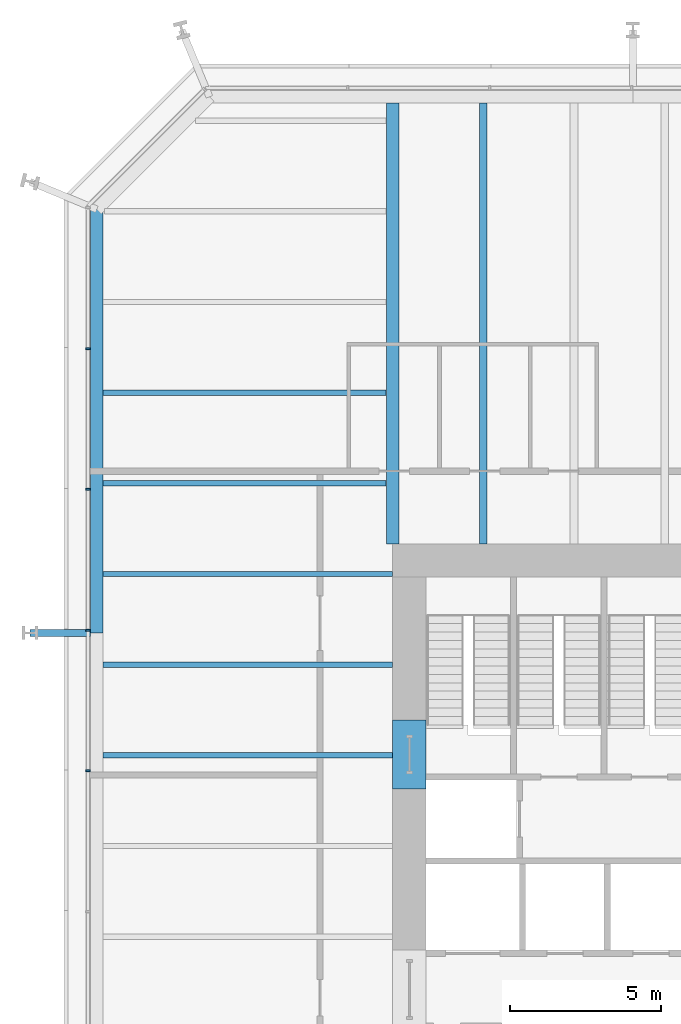
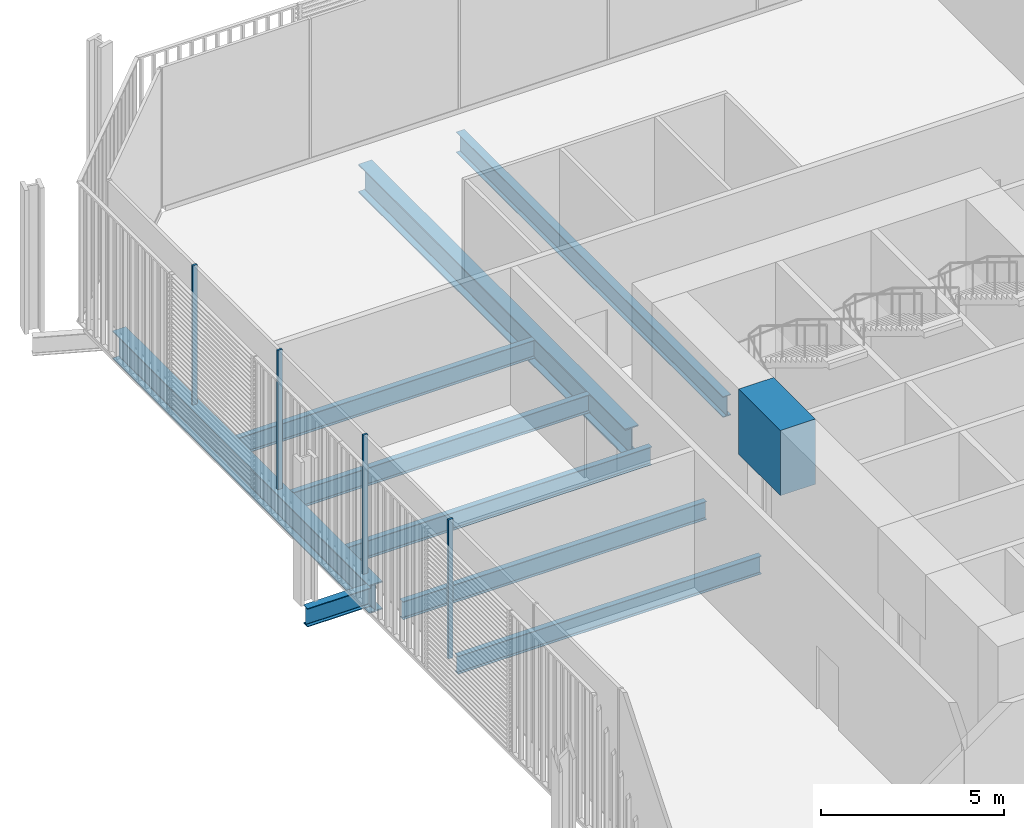
# One storey, part 9 of 25: 10 beams, 4 members, 1 element without a shape of its own.
"""IFC4 building model written with IfcOpenShell, lengths in metres."""

from ifc_helpers import new_model, si_unit, direction, frame, origin, origin_2d, place, context, subcontext, project, spatial, rectangle, i_section, extrude, material, layer, layer_set, material_profile, profile_set, type_object, element, aggregate, save


model = new_model("IFC4")

# Units and contexts
model_context = context("Model", 3, precision=1e-05, world=origin(), true_north=direction((0.0, 1.0)))
body_context = subcontext(model_context, "Body", "Model", "MODEL_VIEW")
ifc_project = project(units=[si_unit("LENGTHUNIT", "METRE"), si_unit("AREAUNIT", "SQUARE_METRE"), si_unit("VOLUMEUNIT", "CUBIC_METRE"), si_unit("PLANEANGLEUNIT", "RADIAN"), si_unit("MASSUNIT", "GRAM", prefix="KILO")], contexts=[model_context])

# Site, building, storey
site_placement = place(None, origin())
site = spatial("IfcSite", under=ifc_project, at=site_placement, CompositionType="ELEMENT")
building_placement = place(site_placement, origin())
building = spatial("IfcBuilding", under=site, at=building_placement, Name="Millrace Tower", CompositionType="ELEMENT")
storey_placement = place(building_placement, frame((0.0, 0.0, 6.5)))
storey = spatial("IfcBuildingStorey", under=building, at=storey_placement, Name="L02", CompositionType="ELEMENT", Elevation=6.5)

# Curtain wall, members
ifc_material_1 = material(Name="Aluminium and glass", Category="aluminium")
ifc_layer = layer(ifc_material_1, 0.14990234375)
ifc_layer_set = layer_set([ifc_layer], Name="Aluminium and glass")
curtain_wall_type = type_object("IfcCurtainWallType", Name="CW-2 data hall insulated curtain wall", PredefinedType="NOTDEFINED", material=ifc_layer_set)
curtain_wall_placement = place(storey_placement, origin())
curtain_wall = element("IfcCurtainWall", 1, at=curtain_wall_placement, inside=storey, type_object=curtain_wall_type, Name="Curtain wall AW2-F06 L02", PredefinedType="NOTDEFINED")
ifc_material_2 = material(Name="Aluminium", Category="aluminium")
ifc_material_profile_1 = material_profile(ifc_material_2, rectangle(XDim=0.06494140625, YDim=0.14990234375, at=origin_2d()))
ifc_profile_set_1 = profile_set([ifc_material_profile_1], Name="Aluminium")
member_type = type_object("IfcMemberType", Name="CW-2 data hall insulated curtain wall mullion", PredefinedType="MULLION", material=ifc_profile_set_1)
member_1_placement = place(storey_placement, frame((-25.074951171875, 16.459716796875, 0.159912109375), z_axis=(0.0, 0.0, 1.0), x_axis=(0.0, -1.0, 0.0)))
member_1 = element("IfcMember", 2, at=member_1_placement, type_object=member_type, Name="CW2 mullion AW2-F06.2", PredefinedType="MULLION", context=body_context, shape_type="SweptSolid", body=[
    extrude(rectangle(XDim=0.06494140625, YDim=0.14990234375, at=origin_2d()), origin(), (0.0, 0.0, 1.0), 4.64013671875),
])
member_2_placement = place(storey_placement, frame((-25.074951171875, 11.802001953125, 0.159912109375), z_axis=(0.0, 0.0, 1.0), x_axis=(0.0, -1.0, 0.0)))
member_2 = element("IfcMember", 3, at=member_2_placement, type_object=member_type, Name="CW2 mullion AW2-F06.3", PredefinedType="MULLION", context=body_context, shape_type="SweptSolid", body=[
    extrude(rectangle(XDim=0.06494140625, YDim=0.14990234375, at=origin_2d()), origin(), (0.0, 0.0, 1.0), 4.64013671875),
])
member_3_placement = place(storey_placement, frame((-25.074951171875, 7.14453125, 0.159912109375), z_axis=(0.0, 0.0, 1.0), x_axis=(0.0, -1.0, 0.0)))
member_3 = element("IfcMember", 4, at=member_3_placement, type_object=member_type, Name="CW2 mullion AW2-F06.4", PredefinedType="MULLION", context=body_context, shape_type="SweptSolid", body=[
    extrude(rectangle(XDim=0.06494140625, YDim=0.14990234375, at=origin_2d()), origin(), (0.0, 0.0, 1.0), 4.64013671875),
])
member_4_placement = place(storey_placement, frame((-25.074951171875, 2.48681640625, 0.159912109375), z_axis=(0.0, 0.0, 1.0), x_axis=(0.0, -1.0, 0.0)))
member_4 = element("IfcMember", 5, at=member_4_placement, type_object=member_type, Name="CW2 mullion AW2-F06.5", PredefinedType="MULLION", context=body_context, shape_type="SweptSolid", body=[
    extrude(rectangle(XDim=0.06494140625, YDim=0.14990234375, at=origin_2d()), origin(), (0.0, 0.0, 1.0), 4.64013671875),
])
aggregate(curtain_wall, [member_1, member_2, member_3, member_4])

# Beams
ifc_material_3 = material(Name="Concrete C80", Category="concrete")
ifc_material_profile_2 = material_profile(ifc_material_3, rectangle(XDim=1.10009765625, YDim=2.175048828125, at=origin_2d()))
ifc_profile_set_2 = profile_set([ifc_material_profile_2], Name="Concrete C80")
beam_type_1 = type_object("IfcBeamType", Name="Coupling beam 1100 x 2175 Concrete C80, 1300 opening", PredefinedType="BEAM", material=ifc_profile_set_2)
beam_1_placement = place(storey_placement, frame((-14.449951171875, 1.88818359375, 3.487548828125), z_axis=(0.0, 1.0, 0.0), x_axis=(-1.0, 0.0, 0.0)))
element("IfcBeam", 6, at=beam_1_placement, inside=storey, type_object=beam_type_1, Name="Coupling beam W L02", PredefinedType="BEAM", context=body_context, shape_type="SweptSolid", body=[
    extrude(rectangle(XDim=1.10009765625, YDim=2.175048828125, at=origin_2d()), origin(), (0.0, 0.0, 1.0), 2.28369140625),
])
ifc_material_4 = material(Name="Steel ASTM A992 Grade 50", Category="steel")
ifc_material_profile_3 = material_profile(ifc_material_4, i_section(OverallWidth=0.1787109375, OverallDepth=0.60205078125, WebThickness=0.010986328125, FlangeThickness=0.014892578125, FilletRadius=0.0126953125, at=origin_2d()))
ifc_profile_set_3 = profile_set([ifc_material_profile_3], Name="Steel ASTM A992 Grade 50")
beam_type_2 = type_object("IfcBeamType", Name="Floor beam W24x62", PredefinedType="JOIST", material=ifc_profile_set_3)
for number, where, z_axis, x_axis, name in (
    (7, (-24.578369140625, 3.0, -0.52587890625), (1.0, 0.0, 0.0), (0.0, 1.0, 0.0), "BM-A-L02-S1-S034"),
    (8, (-24.578369140625, 6.0, -0.52587890625), (1.0, 0.0, 0.0), (0.0, 1.0, 0.0), "BM-A-L02-S1-S037"),
    (9, (-24.578369140625, 9.0, -0.52587890625), (1.0, 0.0, 0.0), (0.0, 1.0, 0.0), "BM-A-L02-S1-S040"),
):
    element("IfcBeam", number, at=place(storey_placement, frame(where, z_axis=z_axis, x_axis=x_axis)), inside=storey, type_object=beam_type_2, Name=name, PredefinedType="JOIST", context=body_context, shape_type="SweptSolid", body=[
        extrude(i_section(OverallWidth=0.1787109375, OverallDepth=0.60205078125, WebThickness=0.010986328125, FlangeThickness=0.014892578125, FilletRadius=0.0126953125, at=origin_2d()), origin(), (0.0, 0.0, 1.0), 9.578369140625),
    ])
for number, where, z_axis, x_axis, name in (
    (10, (-24.578369140625, 12.0, -0.52587890625), (1.0, 0.0, 0.0), (0.0, 1.0, 0.0), "BM-A-L02-S1-S042"),
    (11, (-24.578369140625, 15.0, -0.52587890625), (1.0, 0.0, 0.0), (0.0, 1.0, 0.0), "BM-A-L02-S1-S044"),
):
    element("IfcBeam", number, at=place(storey_placement, frame(where, z_axis=z_axis, x_axis=x_axis)), inside=storey, type_object=beam_type_2, Name=name, PredefinedType="JOIST", context=body_context, shape_type="SweptSolid", body=[
        extrude(i_section(OverallWidth=0.1787109375, OverallDepth=0.60205078125, WebThickness=0.010986328125, FlangeThickness=0.014892578125, FilletRadius=0.0126953125, at=origin_2d()), origin(), (0.0, 0.0, 1.0), 9.3662109375),
    ])
ifc_material_5 = material(Name="Steel ASTM A992 Grade 50", Category="steel")
ifc_material_profile_4 = material_profile(ifc_material_5, i_section(OverallWidth=0.256591796875, OverallDepth=0.693359375, WebThickness=0.014404296875, FlangeThickness=0.023681640625, FilletRadius=0.01513671875, at=origin_2d()))
ifc_profile_set_4 = profile_set([ifc_material_profile_4], Name="Steel ASTM A992 Grade 50")
beam_type_3 = type_object("IfcBeamType", Name="Floor beam W27x114", PredefinedType="JOIST", material=ifc_profile_set_4)
beam_2_placement = place(storey_placement, frame((-12.0, 10.0, -0.57177734375), z_axis=(0.0, 1.0, 0.0), x_axis=(-1.0, 0.0, 0.0)))
element("IfcBeam", 12, at=beam_2_placement, inside=storey, type_object=beam_type_3, Name="BM-A-L02-S1-S052", PredefinedType="JOIST", context=body_context, shape_type="SweptSolid", body=[
    extrude(i_section(OverallWidth=0.256591796875, OverallDepth=0.693359375, WebThickness=0.014404296875, FlangeThickness=0.023681640625, FilletRadius=0.01513671875, at=origin_2d()), origin(), (0.0, 0.0, 1.0), 14.578369140625),
])
ifc_material_6 = material(Name="Steel ASTM A992 Grade 50", Category="steel")
ifc_material_profile_5 = material_profile(ifc_material_6, i_section(OverallWidth=0.424072265625, OverallDepth=0.947509765625, WebThickness=0.02392578125, FlangeThickness=0.042724609375, FilletRadius=0.024169921875, at=origin_2d()))
ifc_profile_set_5 = profile_set([ifc_material_profile_5], Name="Steel ASTM A992 Grade 50")
beam_type_4 = type_object("IfcBeamType", Name="Girder medium span W36x302", PredefinedType="BEAM", material=ifc_profile_set_5)
beam_3_placement = place(storey_placement, frame((-15.0, 10.0, -0.69873046875), z_axis=(0.0, 1.0, 0.0), x_axis=(-1.0, 0.0, 0.0)))
element("IfcBeam", 13, at=beam_3_placement, inside=storey, type_object=beam_type_4, Name="BM-A-L02-S1-G079", PredefinedType="BEAM", context=body_context, shape_type="SweptSolid", body=[
    extrude(i_section(OverallWidth=0.424072265625, OverallDepth=0.947509765625, WebThickness=0.02392578125, FlangeThickness=0.042724609375, FilletRadius=0.024169921875, at=origin_2d()), origin(), (0.0, 0.0, 1.0), 14.578369140625),
])
ifc_material_7 = material(Name="Steel ASTM A992 Grade 50", Category="steel")
ifc_material_profile_6 = material_profile(ifc_material_7, i_section(OverallWidth=0.23046875, OverallDepth=0.6171875, WebThickness=0.01318359375, FlangeThickness=0.022216796875, FilletRadius=0.012939453125, at=origin_2d()))
ifc_profile_set_6 = profile_set([ifc_material_profile_6], Name="Steel ASTM A992 Grade 50")
beam_type_5 = type_object("IfcBeamType", Name="Link beam W24x94", PredefinedType="BEAM", material=ifc_profile_set_6)
beam_4_placement = place(storey_placement, frame((-25.0, 7.050048828125, -0.53369140625), z_axis=(-1.0, 0.0, 0.0), x_axis=(0.0, -1.0, 0.0)))
element("IfcBeam", 14, at=beam_4_placement, inside=storey, type_object=beam_type_5, Name="LNK-A-L02-S1-04", PredefinedType="BEAM", context=body_context, shape_type="SweptSolid", body=[
    extrude(i_section(OverallWidth=0.23046875, OverallDepth=0.6171875, WebThickness=0.01318359375, FlangeThickness=0.022216796875, FilletRadius=0.012939453125, at=origin_2d()), origin(), (0.0, 0.0, 1.0), 2.0),
])
ifc_material_8 = material(Name="Steel ASTM A992 Grade 50", Category="steel")
ifc_material_profile_7 = material_profile(ifc_material_8, i_section(OverallWidth=0.421630859375, OverallDepth=0.937255859375, WebThickness=0.021240234375, FlangeThickness=0.03662109375, FilletRadius=0.024169921875, at=origin_2d()))
ifc_profile_set_7 = profile_set([ifc_material_profile_7], Name="Steel ASTM A992 Grade 50")
beam_type_6 = type_object("IfcBeamType", Name="Ring beam medium span W36x262", PredefinedType="SPANDREL", material=ifc_profile_set_7)
beam_5_placement = place(storey_placement, frame((-24.7890625, 7.050048828125, -0.693603515625), z_axis=(0.0, 1.0, 0.0), x_axis=(-1.0, 0.0, 0.0)))
element("IfcBeam", 15, at=beam_5_placement, inside=storey, type_object=beam_type_6, Name="RNG-A-L02-S1-04", PredefinedType="SPANDREL", context=body_context, shape_type="SweptSolid", body=[
    extrude(i_section(OverallWidth=0.421630859375, OverallDepth=0.937255859375, WebThickness=0.021240234375, FlangeThickness=0.03662109375, FilletRadius=0.024169921875, at=origin_2d()), origin(), (0.0, 0.0, 1.0), 14.0126953125),
])

save(model, "model.ifc")
